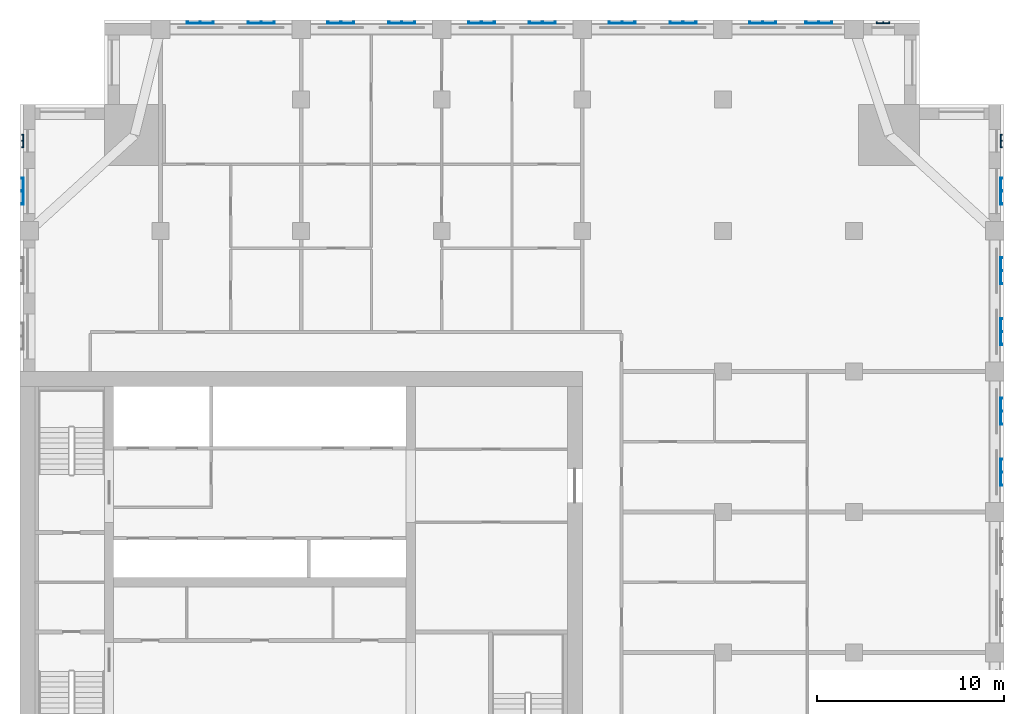
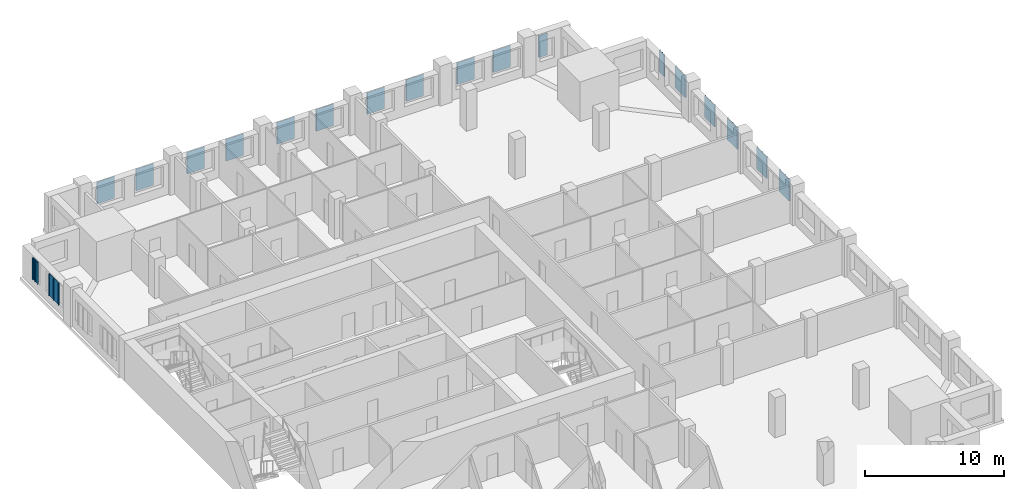
# One storey, part 5 of 14: 19 plates.
"""IFC4 building model written with IfcOpenShell, lengths in metres."""

from ifc_helpers import new_model, si_unit, direction, frame, origin, place, context, subcontext, project, spatial, polyline, outline, extrude, material, layer, layer_set, type_object, element, save


model = new_model("IFC4")

# Units and contexts
model_context = context("Model", 3, precision=1e-05, world=origin(), true_north=direction((0.0, 1.0)))
body_context = subcontext(model_context, "Body", "Model", "MODEL_VIEW")
ifc_project = project(units=[si_unit("LENGTHUNIT", "METRE"), si_unit("AREAUNIT", "SQUARE_METRE"), si_unit("VOLUMEUNIT", "CUBIC_METRE"), si_unit("PLANEANGLEUNIT", "RADIAN"), si_unit("MASSUNIT", "GRAM", prefix="KILO")], contexts=[model_context])

# Site, building, storey
site_placement = place(None, origin())
site = spatial("IfcSite", under=ifc_project, at=site_placement, CompositionType="ELEMENT")
building_placement = place(site_placement, origin())
building = spatial("IfcBuilding", under=site, at=building_placement, Name="Tamorin Gate", CompositionType="ELEMENT")
storey_placement = place(building_placement, frame((0.0, 0.0, 203.699951171875)))
storey = spatial("IfcBuildingStorey", under=building, at=storey_placement, Name="L50", CompositionType="ELEMENT", Elevation=203.699951171875)

# Plates
ifc_material = material(Name="Perforated pale aluminium sheet", Category="aluminium")
ifc_layer_1 = layer(ifc_material, 0.0400390625)
ifc_layer_set_1 = layer_set([ifc_layer_1], Name="Pale metal solar screen 1440")
plate_type_1 = type_object("IfcPlateType", Name="Pale metal solar screen 1440", PredefinedType="SHEET", material=ifc_layer_set_1)
plate_1_placement = place(storey_placement, frame((0.0, 0.0, 0.737548828125)))
element("IfcPlate", 1, at=plate_1_placement, inside=storey, type_object=plate_type_1, Name="Perforated solar screen", PredefinedType="SHEET", context=body_context, shape_type="SweptSolid", body=[
    extrude(outline(polyline([(82.340087890625, 76.405029296875), (82.300048828125, 76.405029296875), (82.300048828125, 76.465087890625), (82.300048828125, 77.094970703125), (82.300048828125, 77.155029296875), (82.300048828125, 77.784912109375), (82.300048828125, 77.844970703125), (82.340087890625, 77.844970703125), (82.39990234375, 77.844970703125), (82.39990234375, 77.784912109375), (82.340087890625, 77.784912109375), (82.340087890625, 77.155029296875), (82.39990234375, 77.155029296875), (82.39990234375, 77.094970703125), (82.340087890625, 77.094970703125), (82.340087890625, 76.465087890625), (82.39990234375, 76.465087890625), (82.39990234375, 76.405029296875), (82.340087890625, 76.405029296875)])), origin(), (0.0, 0.0, 1.0), 1.925048828125),
])
plate_2_placement = place(storey_placement, frame((0.0, 0.0, 0.737548828125)))
element("IfcPlate", 2, at=plate_2_placement, inside=storey, type_object=plate_type_1, Name="Perforated solar screen", PredefinedType="SHEET", context=body_context, shape_type="SweptSolid", body=[
    extrude(outline(polyline([(82.340087890625, 79.655029296875), (82.300048828125, 79.655029296875), (82.300048828125, 79.715087890625), (82.300048828125, 80.344970703125), (82.300048828125, 80.405029296875), (82.300048828125, 81.034912109375), (82.300048828125, 81.094970703125), (82.340087890625, 81.094970703125), (82.39990234375, 81.094970703125), (82.39990234375, 81.034912109375), (82.340087890625, 81.034912109375), (82.340087890625, 80.405029296875), (82.39990234375, 80.405029296875), (82.39990234375, 80.344970703125), (82.340087890625, 80.344970703125), (82.340087890625, 79.715087890625), (82.39990234375, 79.715087890625), (82.39990234375, 79.655029296875), (82.340087890625, 79.655029296875)])), origin(), (0.0, 0.0, 1.0), 1.925048828125),
])
plate_3_placement = place(storey_placement, frame((0.0, 0.0, 0.737548828125)))
element("IfcPlate", 3, at=plate_3_placement, inside=storey, type_object=plate_type_1, Name="Perforated solar screen", PredefinedType="SHEET", context=body_context, shape_type="SweptSolid", body=[
    extrude(outline(polyline([(82.340087890625, 83.905029296875), (82.300048828125, 83.905029296875), (82.300048828125, 83.965087890625), (82.300048828125, 84.594970703125), (82.300048828125, 84.655029296875), (82.300048828125, 85.284912109375), (82.300048828125, 85.344970703125), (82.340087890625, 85.344970703125), (82.39990234375, 85.344970703125), (82.39990234375, 85.284912109375), (82.340087890625, 85.284912109375), (82.340087890625, 84.655029296875), (82.39990234375, 84.655029296875), (82.39990234375, 84.594970703125), (82.340087890625, 84.594970703125), (82.340087890625, 83.965087890625), (82.39990234375, 83.965087890625), (82.39990234375, 83.905029296875), (82.340087890625, 83.905029296875)])), origin(), (0.0, 0.0, 1.0), 1.925048828125),
])
plate_4_placement = place(storey_placement, frame((0.0, 0.0, 0.737548828125)))
element("IfcPlate", 4, at=plate_4_placement, inside=storey, type_object=plate_type_1, Name="Perforated solar screen", PredefinedType="SHEET", context=body_context, shape_type="SweptSolid", body=[
    extrude(outline(polyline([(82.340087890625, 87.155029296875), (82.300048828125, 87.155029296875), (82.300048828125, 87.215087890625), (82.300048828125, 87.844970703125), (82.300048828125, 87.905029296875), (82.300048828125, 88.534912109375), (82.300048828125, 88.594970703125), (82.340087890625, 88.594970703125), (82.39990234375, 88.594970703125), (82.39990234375, 88.534912109375), (82.340087890625, 88.534912109375), (82.340087890625, 87.905029296875), (82.39990234375, 87.905029296875), (82.39990234375, 87.844970703125), (82.340087890625, 87.844970703125), (82.340087890625, 87.215087890625), (82.39990234375, 87.215087890625), (82.39990234375, 87.155029296875), (82.340087890625, 87.155029296875)])), origin(), (0.0, 0.0, 1.0), 1.925048828125),
])
plate_5_placement = place(storey_placement, frame((0.0, 0.0, 0.737548828125)))
element("IfcPlate", 5, at=plate_5_placement, inside=storey, type_object=plate_type_1, Name="Perforated solar screen", PredefinedType="SHEET", context=body_context, shape_type="SweptSolid", body=[
    extrude(outline(polyline([(82.340087890625, 91.405029296875), (82.300048828125, 91.405029296875), (82.300048828125, 91.465087890625), (82.300048828125, 92.094970703125), (82.300048828125, 92.155029296875), (82.300048828125, 92.784912109375), (82.300048828125, 92.844970703125), (82.340087890625, 92.844970703125), (82.39990234375, 92.844970703125), (82.39990234375, 92.784912109375), (82.340087890625, 92.784912109375), (82.340087890625, 92.155029296875), (82.39990234375, 92.155029296875), (82.39990234375, 92.094970703125), (82.340087890625, 92.094970703125), (82.340087890625, 91.465087890625), (82.39990234375, 91.465087890625), (82.39990234375, 91.405029296875), (82.340087890625, 91.405029296875)])), origin(), (0.0, 0.0, 1.0), 1.925048828125),
])
plate_6_placement = place(storey_placement, frame((0.0, 0.0, 0.737548828125)))
element("IfcPlate", 6, at=plate_6_placement, inside=storey, type_object=plate_type_1, Name="Perforated solar screen", PredefinedType="SHEET", context=body_context, shape_type="SweptSolid", body=[
    extrude(outline(polyline([(70.344970703125, 101.090087890625), (70.344970703125, 101.050048828125), (70.284912109375, 101.050048828125), (69.655029296875, 101.050048828125), (69.594970703125, 101.050048828125), (68.965087890625, 101.050048828125), (68.905029296875, 101.050048828125), (68.905029296875, 101.090087890625), (68.905029296875, 101.14990234375), (68.965087890625, 101.14990234375), (68.965087890625, 101.090087890625), (69.594970703125, 101.090087890625), (69.594970703125, 101.14990234375), (69.655029296875, 101.14990234375), (69.655029296875, 101.090087890625), (70.284912109375, 101.090087890625), (70.284912109375, 101.14990234375), (70.344970703125, 101.14990234375), (70.344970703125, 101.090087890625)])), origin(), (0.0, 0.0, 1.0), 1.925048828125),
])
plate_7_placement = place(storey_placement, frame((0.0, 0.0, 0.737548828125)))
element("IfcPlate", 7, at=plate_7_placement, inside=storey, type_object=plate_type_1, Name="Perforated solar screen", PredefinedType="SHEET", context=body_context, shape_type="SweptSolid", body=[
    extrude(outline(polyline([(73.344970703125, 101.090087890625), (73.344970703125, 101.050048828125), (73.284912109375, 101.050048828125), (72.655029296875, 101.050048828125), (72.594970703125, 101.050048828125), (71.965087890625, 101.050048828125), (71.905029296875, 101.050048828125), (71.905029296875, 101.050048828125), (71.905029296875, 101.090087890625), (71.905029296875, 101.090087890625), (71.905029296875, 101.14990234375), (71.965087890625, 101.14990234375), (71.965087890625, 101.090087890625), (72.594970703125, 101.090087890625), (72.594970703125, 101.14990234375), (72.655029296875, 101.14990234375), (72.655029296875, 101.090087890625), (73.284912109375, 101.090087890625), (73.284912109375, 101.14990234375), (73.344970703125, 101.14990234375), (73.344970703125, 101.090087890625)])), origin(), (0.0, 0.0, 1.0), 1.925048828125),
])
plate_8_placement = place(storey_placement, frame((0.0, 0.0, 0.737548828125)))
element("IfcPlate", 8, at=plate_8_placement, inside=storey, type_object=plate_type_1, Name="Perforated solar screen", PredefinedType="SHEET", context=body_context, shape_type="SweptSolid", body=[
    extrude(outline(polyline([(62.844970703125, 101.090087890625), (62.844970703125, 101.050048828125), (62.784912109375, 101.050048828125), (62.155029296875, 101.050048828125), (62.094970703125, 101.050048828125), (61.465087890625, 101.050048828125), (61.405029296875, 101.050048828125), (61.405029296875, 101.090087890625), (61.405029296875, 101.14990234375), (61.465087890625, 101.14990234375), (61.465087890625, 101.090087890625), (62.094970703125, 101.090087890625), (62.094970703125, 101.14990234375), (62.155029296875, 101.14990234375), (62.155029296875, 101.090087890625), (62.784912109375, 101.090087890625), (62.784912109375, 101.14990234375), (62.844970703125, 101.14990234375), (62.844970703125, 101.090087890625)])), origin(), (0.0, 0.0, 1.0), 1.925048828125),
])
plate_9_placement = place(storey_placement, frame((0.0, 0.0, 0.737548828125)))
element("IfcPlate", 9, at=plate_9_placement, inside=storey, type_object=plate_type_1, Name="Perforated solar screen", PredefinedType="SHEET", context=body_context, shape_type="SweptSolid", body=[
    extrude(outline(polyline([(66.094970703125, 101.090087890625), (66.094970703125, 101.050048828125), (66.034912109375, 101.050048828125), (65.405029296875, 101.050048828125), (65.344970703125, 101.050048828125), (64.715087890625, 101.050048828125), (64.655029296875, 101.050048828125), (64.655029296875, 101.090087890625), (64.655029296875, 101.14990234375), (64.715087890625, 101.14990234375), (64.715087890625, 101.090087890625), (65.344970703125, 101.090087890625), (65.344970703125, 101.14990234375), (65.405029296875, 101.14990234375), (65.405029296875, 101.090087890625), (66.034912109375, 101.090087890625), (66.034912109375, 101.14990234375), (66.094970703125, 101.14990234375), (66.094970703125, 101.090087890625)])), origin(), (0.0, 0.0, 1.0), 1.925048828125),
])
plate_10_placement = place(storey_placement, frame((0.0, 0.0, 0.737548828125)))
element("IfcPlate", 10, at=plate_10_placement, inside=storey, type_object=plate_type_1, Name="Perforated solar screen", PredefinedType="SHEET", context=body_context, shape_type="SweptSolid", body=[
    extrude(outline(polyline([(55.344970703125, 101.090087890625), (55.344970703125, 101.050048828125), (55.284912109375, 101.050048828125), (54.655029296875, 101.050048828125), (54.594970703125, 101.050048828125), (53.965087890625, 101.050048828125), (53.905029296875, 101.050048828125), (53.905029296875, 101.090087890625), (53.905029296875, 101.14990234375), (53.965087890625, 101.14990234375), (53.965087890625, 101.090087890625), (54.594970703125, 101.090087890625), (54.594970703125, 101.14990234375), (54.655029296875, 101.14990234375), (54.655029296875, 101.090087890625), (55.284912109375, 101.090087890625), (55.284912109375, 101.14990234375), (55.344970703125, 101.14990234375), (55.344970703125, 101.090087890625)])), origin(), (0.0, 0.0, 1.0), 1.925048828125),
])
plate_11_placement = place(storey_placement, frame((0.0, 0.0, 0.737548828125)))
element("IfcPlate", 11, at=plate_11_placement, inside=storey, type_object=plate_type_1, Name="Perforated solar screen", PredefinedType="SHEET", context=body_context, shape_type="SweptSolid", body=[
    extrude(outline(polyline([(58.594970703125, 101.090087890625), (58.594970703125, 101.050048828125), (58.534912109375, 101.050048828125), (57.905029296875, 101.050048828125), (57.844970703125, 101.050048828125), (57.215087890625, 101.050048828125), (57.155029296875, 101.050048828125), (57.155029296875, 101.090087890625), (57.155029296875, 101.14990234375), (57.215087890625, 101.14990234375), (57.215087890625, 101.090087890625), (57.844970703125, 101.090087890625), (57.844970703125, 101.14990234375), (57.905029296875, 101.14990234375), (57.905029296875, 101.090087890625), (58.534912109375, 101.090087890625), (58.534912109375, 101.14990234375), (58.594970703125, 101.14990234375), (58.594970703125, 101.090087890625)])), origin(), (0.0, 0.0, 1.0), 1.925048828125),
])
plate_12_placement = place(storey_placement, frame((0.0, 0.0, 0.737548828125)))
element("IfcPlate", 12, at=plate_12_placement, inside=storey, type_object=plate_type_1, Name="Perforated solar screen", PredefinedType="SHEET", context=body_context, shape_type="SweptSolid", body=[
    extrude(outline(polyline([(47.844970703125, 101.090087890625), (47.844970703125, 101.050048828125), (47.784912109375, 101.050048828125), (47.155029296875, 101.050048828125), (47.094970703125, 101.050048828125), (46.465087890625, 101.050048828125), (46.405029296875, 101.050048828125), (46.405029296875, 101.090087890625), (46.405029296875, 101.14990234375), (46.465087890625, 101.14990234375), (46.465087890625, 101.090087890625), (47.094970703125, 101.090087890625), (47.094970703125, 101.14990234375), (47.155029296875, 101.14990234375), (47.155029296875, 101.090087890625), (47.784912109375, 101.090087890625), (47.784912109375, 101.14990234375), (47.844970703125, 101.14990234375), (47.844970703125, 101.090087890625)])), origin(), (0.0, 0.0, 1.0), 1.925048828125),
])
plate_13_placement = place(storey_placement, frame((0.0, 0.0, 0.737548828125)))
element("IfcPlate", 13, at=plate_13_placement, inside=storey, type_object=plate_type_1, Name="Perforated solar screen", PredefinedType="SHEET", context=body_context, shape_type="SweptSolid", body=[
    extrude(outline(polyline([(51.094970703125, 101.090087890625), (51.094970703125, 101.050048828125), (51.034912109375, 101.050048828125), (50.405029296875, 101.050048828125), (50.344970703125, 101.050048828125), (49.715087890625, 101.050048828125), (49.655029296875, 101.050048828125), (49.655029296875, 101.090087890625), (49.655029296875, 101.14990234375), (49.715087890625, 101.14990234375), (49.715087890625, 101.090087890625), (50.344970703125, 101.090087890625), (50.344970703125, 101.14990234375), (50.405029296875, 101.14990234375), (50.405029296875, 101.090087890625), (51.034912109375, 101.090087890625), (51.034912109375, 101.14990234375), (51.094970703125, 101.14990234375), (51.094970703125, 101.090087890625)])), origin(), (0.0, 0.0, 1.0), 1.925048828125),
])
plate_14_placement = place(storey_placement, frame((0.0, 0.0, 0.737548828125)))
element("IfcPlate", 14, at=plate_14_placement, inside=storey, type_object=plate_type_1, Name="Perforated solar screen", PredefinedType="SHEET", context=body_context, shape_type="SweptSolid", body=[
    extrude(outline(polyline([(40.344970703125, 101.090087890625), (40.344970703125, 101.050048828125), (40.284912109375, 101.050048828125), (39.655029296875, 101.050048828125), (39.594970703125, 101.050048828125), (38.965087890625, 101.050048828125), (38.905029296875, 101.050048828125), (38.905029296875, 101.090087890625), (38.905029296875, 101.14990234375), (38.965087890625, 101.14990234375), (38.965087890625, 101.090087890625), (39.594970703125, 101.090087890625), (39.594970703125, 101.14990234375), (39.655029296875, 101.14990234375), (39.655029296875, 101.090087890625), (40.284912109375, 101.090087890625), (40.284912109375, 101.14990234375), (40.344970703125, 101.14990234375), (40.344970703125, 101.090087890625)])), origin(), (0.0, 0.0, 1.0), 1.925048828125),
])
plate_15_placement = place(storey_placement, frame((0.0, 0.0, 0.737548828125)))
element("IfcPlate", 15, at=plate_15_placement, inside=storey, type_object=plate_type_1, Name="Perforated solar screen", PredefinedType="SHEET", context=body_context, shape_type="SweptSolid", body=[
    extrude(outline(polyline([(43.594970703125, 101.090087890625), (43.594970703125, 101.050048828125), (43.534912109375, 101.050048828125), (42.905029296875, 101.050048828125), (42.844970703125, 101.050048828125), (42.215087890625, 101.050048828125), (42.155029296875, 101.050048828125), (42.155029296875, 101.090087890625), (42.155029296875, 101.14990234375), (42.215087890625, 101.14990234375), (42.215087890625, 101.090087890625), (42.844970703125, 101.090087890625), (42.844970703125, 101.14990234375), (42.905029296875, 101.14990234375), (42.905029296875, 101.090087890625), (43.534912109375, 101.090087890625), (43.534912109375, 101.14990234375), (43.594970703125, 101.14990234375), (43.594970703125, 101.090087890625)])), origin(), (0.0, 0.0, 1.0), 1.925048828125),
])
plate_16_placement = place(storey_placement, frame((0.0, 0.0, 0.737548828125)))
element("IfcPlate", 16, at=plate_16_placement, inside=storey, type_object=plate_type_1, Name="Perforated solar screen", PredefinedType="SHEET", context=body_context, shape_type="SweptSolid", body=[
    extrude(outline(polyline([(30.159912109375, 92.844970703125), (30.199951171875, 92.844970703125), (30.199951171875, 92.784912109375), (30.199951171875, 92.155029296875), (30.199951171875, 92.094970703125), (30.199951171875, 91.465087890625), (30.199951171875, 91.405029296875), (30.199951171875, 91.405029296875), (30.159912109375, 91.405029296875), (30.159912109375, 91.405029296875), (30.10009765625, 91.405029296875), (30.10009765625, 91.465087890625), (30.159912109375, 91.465087890625), (30.159912109375, 92.094970703125), (30.10009765625, 92.094970703125), (30.10009765625, 92.155029296875), (30.159912109375, 92.155029296875), (30.159912109375, 92.784912109375), (30.10009765625, 92.784912109375), (30.10009765625, 92.844970703125), (30.159912109375, 92.844970703125)])), origin(), (0.0, 0.0, 1.0), 1.925048828125),
])
ifc_layer_2 = layer(ifc_material, 0.0400390625)
ifc_layer_set_2 = layer_set([ifc_layer_2], Name="Pale metal solar screen 720")
plate_type_2 = type_object("IfcPlateType", Name="Pale metal solar screen 720", PredefinedType="SHEET", material=ifc_layer_set_2)
plate_17_placement = place(storey_placement, frame((0.0, 0.0, 0.737548828125)))
element("IfcPlate", 17, at=plate_17_placement, inside=storey, type_object=plate_type_2, Name="Perforated solar screen", PredefinedType="SHEET", context=body_context, shape_type="SweptSolid", body=[
    extrude(outline(polyline([(82.340087890625, 94.43994140625), (82.300048828125, 94.43994140625), (82.300048828125, 94.5), (82.300048828125, 94.77001953125), (82.300048828125, 94.830078125), (82.300048828125, 95.10009765625), (82.300048828125, 95.159912109375), (82.340087890625, 95.159912109375), (82.39990234375, 95.159912109375), (82.39990234375, 95.10009765625), (82.340087890625, 95.10009765625), (82.340087890625, 94.830078125), (82.39990234375, 94.830078125), (82.39990234375, 94.77001953125), (82.340087890625, 94.77001953125), (82.340087890625, 94.5), (82.39990234375, 94.5), (82.39990234375, 94.43994140625), (82.340087890625, 94.43994140625)])), origin(), (0.0, 0.0, 1.0), 1.925048828125),
])
plate_18_placement = place(storey_placement, frame((0.0, 0.0, 0.737548828125)))
element("IfcPlate", 18, at=plate_18_placement, inside=storey, type_object=plate_type_2, Name="Perforated solar screen", PredefinedType="SHEET", context=body_context, shape_type="SweptSolid", body=[
    extrude(outline(polyline([(76.409912109375, 101.090087890625), (76.409912109375, 101.050048828125), (76.35009765625, 101.050048828125), (76.080078125, 101.050048828125), (76.02001953125, 101.050048828125), (75.75, 101.050048828125), (75.68994140625, 101.050048828125), (75.68994140625, 101.090087890625), (75.68994140625, 101.14990234375), (75.75, 101.14990234375), (75.75, 101.090087890625), (76.02001953125, 101.090087890625), (76.02001953125, 101.14990234375), (76.080078125, 101.14990234375), (76.080078125, 101.090087890625), (76.35009765625, 101.090087890625), (76.35009765625, 101.14990234375), (76.409912109375, 101.14990234375), (76.409912109375, 101.090087890625)])), origin(), (0.0, 0.0, 1.0), 1.925048828125),
])
plate_19_placement = place(storey_placement, frame((0.0, 0.0, 0.737548828125)))
element("IfcPlate", 19, at=plate_19_placement, inside=storey, type_object=plate_type_2, Name="Perforated solar screen", PredefinedType="SHEET", context=body_context, shape_type="SweptSolid", body=[
    extrude(outline(polyline([(30.159912109375, 95.159912109375), (30.199951171875, 95.159912109375), (30.199951171875, 95.10009765625), (30.199951171875, 94.830078125), (30.199951171875, 94.77001953125), (30.199951171875, 94.5), (30.199951171875, 94.43994140625), (30.159912109375, 94.43994140625), (30.10009765625, 94.43994140625), (30.10009765625, 94.5), (30.159912109375, 94.5), (30.159912109375, 94.77001953125), (30.10009765625, 94.77001953125), (30.10009765625, 94.830078125), (30.159912109375, 94.830078125), (30.159912109375, 95.10009765625), (30.10009765625, 95.10009765625), (30.10009765625, 95.159912109375), (30.159912109375, 95.159912109375)])), origin(), (0.0, 0.0, 1.0), 1.925048828125),
])

save(model, "model.ifc")
